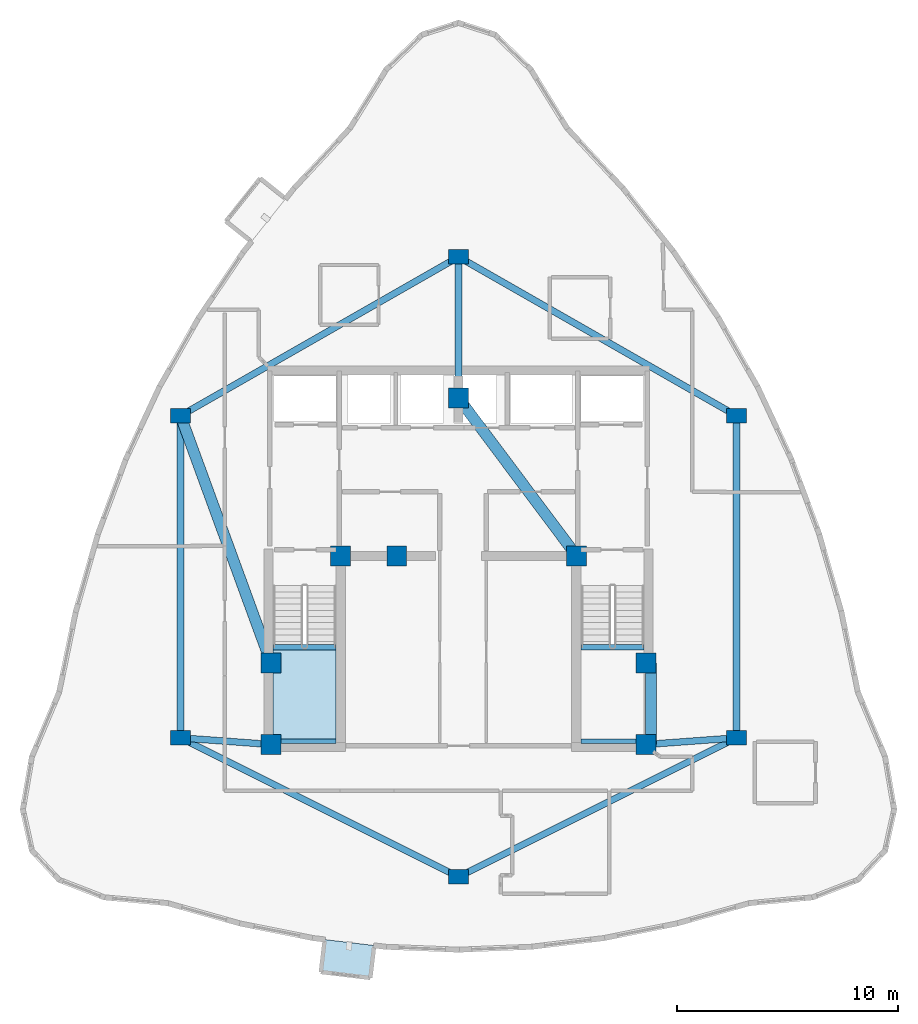
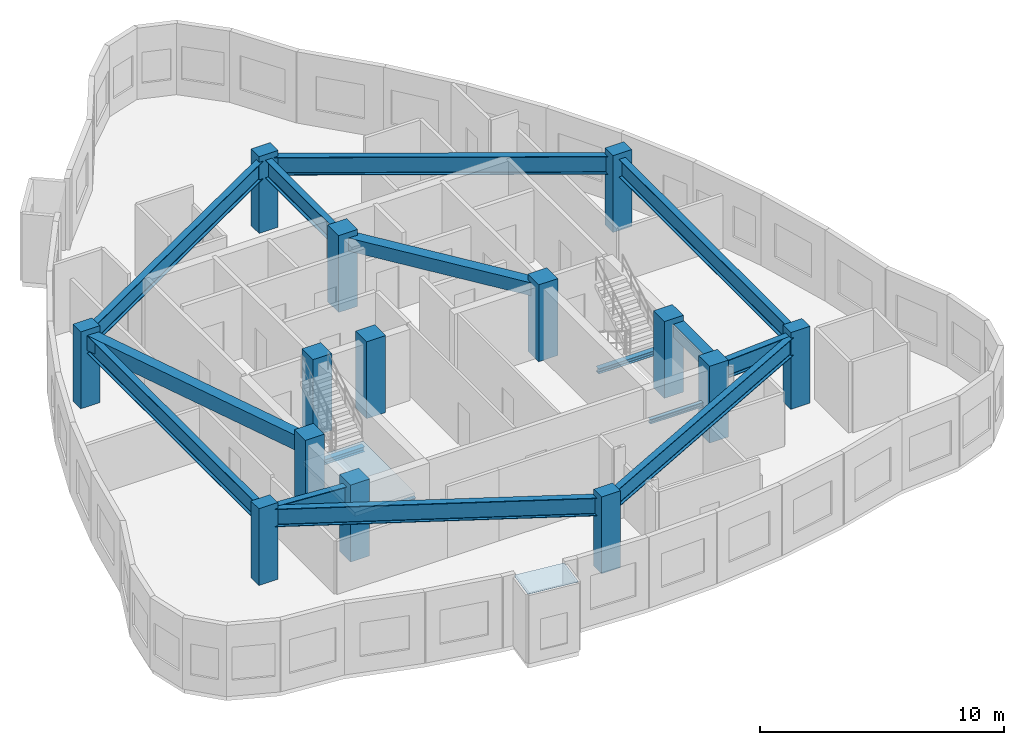
# One storey, part 1 of 9: 16 beams, 14 columns, 1 plate, 1 slab, 1 element without a shape of its own.
"""IFC4 building model written with IfcOpenShell, lengths in metres."""

from ifc_helpers import new_model, si_unit, direction, frame, origin, origin_2d, place, context, subcontext, project, spatial, polyline, rectangle, i_section, outline, extrude, material, layer, layer_set, material_profile, profile_set, type_object, element, aggregate, save


model = new_model("IFC4")

# Units and contexts
model_context = context("Model", 3, precision=1e-05, world=origin(), true_north=direction((0.0, 1.0)))
body_context = subcontext(model_context, "Body", "Model", "MODEL_VIEW")
ifc_project = project(units=[si_unit("LENGTHUNIT", "METRE"), si_unit("AREAUNIT", "SQUARE_METRE"), si_unit("VOLUMEUNIT", "CUBIC_METRE"), si_unit("PLANEANGLEUNIT", "RADIAN"), si_unit("MASSUNIT", "GRAM", prefix="KILO")], contexts=[model_context])

# Site, building, storey
site_placement = place(None, origin())
site = spatial("IfcSite", under=ifc_project, at=site_placement, CompositionType="ELEMENT")
building_placement = place(site_placement, origin())
building = spatial("IfcBuilding", under=site, at=building_placement, Name="Miruveldt Soraemaru", CompositionType="ELEMENT")
storey_placement = place(building_placement, frame((0.0, 0.0, 275.10009765625)))
storey = spatial("IfcBuildingStorey", under=building, at=storey_placement, Name="L75", CompositionType="ELEMENT", Elevation=275.10009765625)

# Columns
ifc_material_1 = material(Name="Concrete C50/60 (50 MPa)", Category="concrete")
ifc_material_profile_1 = material_profile(ifc_material_1, rectangle(XDim=0.89990234375, YDim=0.89990234375, at=origin_2d()), Name="Concrete C50/60 (50 MPa)", Category="concrete")
ifc_profile_set_1 = profile_set([ifc_material_profile_1], Name="Concrete C50/60 (50 MPa)")
column_type_1 = type_object("IfcColumnType", Name="COL-CORE-900", PredefinedType="COLUMN", material=ifc_profile_set_1)
for number, where, z_axis, x_axis, name in (
    (1, (35.5, 35.5, 0.0), (0.0, 0.0, 1.0), (1.0, 0.0, 0.0), "L75 Structural Column CC1"),
    (2, (38.64990234375, 44.050048828125, 0.0), (0.0, 0.0, 1.0), (1.0, 0.0, 0.0), "L75 Structural Column CC2"),
    (3, (52.5, 35.5, 0.0), (0.0, 0.0, 1.0), (1.0, 0.0, 0.0), "L75 Structural Column CC3"),
    (4, (52.5, 39.199951171875, 0.0), (0.0, 0.0, 1.0), (1.0, 0.0, 0.0), "L75 Structural Column CC4"),
    (5, (49.35009765625, 44.050048828125, 0.0), (0.0, 0.0, 1.0), (1.0, 0.0, 0.0), "L75 Structural Column CC5"),
    (6, (44.0, 51.199951171875, 0.0), (0.0, 0.0, 1.0), (1.0, 0.0, 0.0), "L75 Structural Column CC6"),
    (7, (35.5, 39.199951171875, 0.0), (0.0, 0.0, 1.0), (1.0, 0.0, 0.0), "L75 Structural Column CC7"),
    (8, (41.199951171875, 44.050048828125, 0.0), (0.0, 0.0, 1.0), (1.0, 0.0, 0.0), "L75 Structural Column CC8"),
):
    element("IfcColumn", number, at=place(storey_placement, frame(where, z_axis=z_axis, x_axis=x_axis)), inside=storey, type_object=column_type_1, Name=name, PredefinedType="COLUMN", context=body_context, shape_type="SweptSolid", body=[
        extrude(rectangle(XDim=0.89990234375, YDim=0.89990234375, at=origin_2d()), origin(), (0.0, 0.0, 1.0), 3.849853515625),
    ])
ifc_material_profile_2 = material_profile(ifc_material_1, rectangle(XDim=0.89990234375, YDim=0.64990234375, at=origin_2d()), Name="Concrete C50/60 (50 MPa)", Category="concrete")
ifc_profile_set_2 = profile_set([ifc_material_profile_2], Name="Concrete C50/60 (50 MPa)")
column_type_2 = type_object("IfcColumnType", Name="COL-TW-Z4", PredefinedType="COLUMN", material=ifc_profile_set_2)
for number, where, z_axis, x_axis, name in (
    (9, (44.0, 57.60009765625, 0.0), (0.0, 0.0, 1.0), (1.0, 0.0, 0.0), "L75 Structural Column IR01"),
    (10, (56.60009765625, 50.39990234375, 0.0), (0.0, 0.0, 1.0), (1.0, 0.0, 0.0), "L75 Structural Column IR02"),
    (11, (56.60009765625, 35.800048828125, 0.0), (0.0, 0.0, 1.0), (1.0, 0.0, 0.0), "L75 Structural Column IR03"),
    (12, (44.0, 29.5, 0.0), (0.0, 0.0, 1.0), (1.0, 0.0, 0.0), "L75 Structural Column IR04"),
    (13, (31.39990234375, 35.800048828125, 0.0), (0.0, 0.0, 1.0), (1.0, 0.0, 0.0), "L75 Structural Column IR05"),
    (14, (31.39990234375, 50.39990234375, 0.0), (0.0, 0.0, 1.0), (1.0, 0.0, 0.0), "L75 Structural Column IR06"),
):
    element("IfcColumn", number, at=place(storey_placement, frame(where, z_axis=z_axis, x_axis=x_axis)), inside=storey, type_object=column_type_2, Name=name, PredefinedType="COLUMN", context=body_context, shape_type="SweptSolid", body=[
        extrude(rectangle(XDim=0.89990234375, YDim=0.64990234375, at=origin_2d()), origin(), (0.0, 0.0, 1.0), 3.849853515625),
    ])

# Beams
ifc_material_profile_3 = material_profile(ifc_material_1, rectangle(XDim=0.5, YDim=0.64990234375, at=origin_2d()), Name="Concrete C50/60 (50 MPa)", Category="concrete")
ifc_profile_set_3 = profile_set([ifc_material_profile_3], Name="Concrete C50/60 (50 MPa)")
beam_type_1 = type_object("IfcBeamType", Name="BM-RC-500x650", PredefinedType="BEAM", material=ifc_profile_set_3)
beam_1_placement = place(storey_placement, frame((52.72998046875, 35.5, 3.239990234375), z_axis=(0.0, 1.0, 0.0), x_axis=(-1.0, 0.0, 0.0)))
element("IfcBeam", 15, at=beam_1_placement, inside=storey, type_object=beam_type_1, Name="L75 Core Tie Beam 3", PredefinedType="BEAM", context=body_context, shape_type="SweptSolid", body=[
    extrude(rectangle(XDim=0.5, YDim=0.64990234375, at=origin_2d()), origin(), (0.0, 0.0, 1.0), 3.699951171875),
])
beam_2_placement = place(storey_placement, frame((49.35009765625, 44.050048828125, 3.239990234375), z_axis=(-0.599116023999, 0.800662219533, 0.0), x_axis=(-0.800662219533, -0.599116023999, 0.0)))
element("IfcBeam", 16, at=beam_2_placement, inside=storey, type_object=beam_type_1, Name="L75 Core Tie Beam 5", PredefinedType="BEAM", context=body_context, shape_type="SweptSolid", body=[
    extrude(rectangle(XDim=0.5, YDim=0.64990234375, at=origin_2d()), origin(), (0.0, 0.0, 1.0), 8.929931640625),
])
ifc_material_2 = material(Name="Concrete C40/50 (40 MPa)", Category="concrete")
ifc_material_profile_4 = material_profile(ifc_material_2, rectangle(XDim=0.5, YDim=0.75, at=origin_2d()), Name="Concrete C40/50 (40 MPa)", Category="concrete")
ifc_profile_set_4 = profile_set([ifc_material_profile_4], Name="Concrete C40/50 (40 MPa)")
beam_type_2 = type_object("IfcBeamType", Name="BM-RC-500x750", PredefinedType="LINTEL", material=ifc_profile_set_4)
beam_3_placement = place(storey_placement, frame((31.39990234375, 50.39990234375, 3.18994140625), z_axis=(0.343770424598, -0.939053723262, 0.0), x_axis=(0.939053723262, 0.343770424598, 0.0)))
element("IfcBeam", 17, at=beam_3_placement, inside=storey, type_object=beam_type_2, Name="L75 West Lobby Lintel", PredefinedType="LINTEL", context=body_context, shape_type="SweptSolid", body=[
    extrude(rectangle(XDim=0.5, YDim=0.75, at=origin_2d()), origin(), (0.0, 0.0, 1.0), 11.9267578125),
])
ifc_material_3 = material(Name="Steel S460 (460 MPa)", Category="steel")
ifc_material_profile_5 = material_profile(ifc_material_3, i_section(OverallWidth=0.300048828125, OverallDepth=0.89990234375, WebThickness=0.01611328125, FlangeThickness=0.028076171875, FilletRadius=0.028076171875, at=origin_2d()), Name="Steel S460 (460 MPa)", Category="steel")
ifc_profile_set_5 = profile_set([ifc_material_profile_5], Name="Steel S460 (460 MPa)")
beam_type_3 = type_object("IfcBeamType", Name="BM-ST-H900", PredefinedType="BEAM", material=ifc_profile_set_5)
beam_4_placement = place(storey_placement, frame((44.0, 57.60009765625, 3.114990234375), z_axis=(0.868239001029, -0.496146185203, 0.0), x_axis=(0.496146185203, 0.868239001029, 0.0)))
element("IfcBeam", 18, at=beam_4_placement, inside=storey, type_object=beam_type_3, Name="L75 Inner Ring Girder 1", PredefinedType="BEAM", context=body_context, shape_type="SweptSolid", body=[
    extrude(i_section(OverallWidth=0.300048828125, OverallDepth=0.89990234375, WebThickness=0.01611328125, FlangeThickness=0.028076171875, FilletRadius=0.028076171875, at=origin_2d()), origin(), (0.0, 0.0, 1.0), 14.51220703125),
])
beam_5_placement = place(storey_placement, frame((44.0, 51.199951171875, 3.114990234375), z_axis=(0.0, 1.0, 0.0), x_axis=(-1.0, 0.0, 0.0)))
element("IfcBeam", 19, at=beam_5_placement, inside=storey, type_object=beam_type_3, Name="L75 Core-to-Inner Radial Girder 1", PredefinedType="BEAM", context=body_context, shape_type="SweptSolid", body=[
    extrude(i_section(OverallWidth=0.300048828125, OverallDepth=0.89990234375, WebThickness=0.01611328125, FlangeThickness=0.028076171875, FilletRadius=0.028076171875, at=origin_2d()), origin(), (0.0, 0.0, 1.0), 6.400146484375),
])
beam_6_placement = place(storey_placement, frame((56.60009765625, 50.39990234375, 3.114990234375), z_axis=(0.0, -1.0, 0.0), x_axis=(1.0, 0.0, 0.0)))
element("IfcBeam", 20, at=beam_6_placement, inside=storey, type_object=beam_type_3, Name="L75 Inner Ring Girder 2", PredefinedType="BEAM", context=body_context, shape_type="SweptSolid", body=[
    extrude(i_section(OverallWidth=0.300048828125, OverallDepth=0.89990234375, WebThickness=0.01611328125, FlangeThickness=0.028076171875, FilletRadius=0.028076171875, at=origin_2d()), origin(), (0.0, 0.0, 1.0), 14.599853515625),
])
beam_7_placement = place(storey_placement, frame((56.60009765625, 35.800048828125, 3.114990234375), z_axis=(-0.894427191, -0.4472135955, 0.0), x_axis=(0.4472135955, -0.894427191, 0.0)))
element("IfcBeam", 21, at=beam_7_placement, inside=storey, type_object=beam_type_3, Name="L75 Inner Ring Girder 3", PredefinedType="BEAM", context=body_context, shape_type="SweptSolid", body=[
    extrude(i_section(OverallWidth=0.300048828125, OverallDepth=0.89990234375, WebThickness=0.01611328125, FlangeThickness=0.028076171875, FilletRadius=0.028076171875, at=origin_2d()), origin(), (0.0, 0.0, 1.0), 14.08740234375),
])
beam_8_placement = place(storey_placement, frame((52.5, 35.5, 3.114990234375), z_axis=(0.997332985605, 0.072985723431, 0.0), x_axis=(-0.072985723431, 0.997332985605, 0.0)))
element("IfcBeam", 22, at=beam_8_placement, inside=storey, type_object=beam_type_3, Name="L75 Core-to-Inner Radial Girder 3", PredefinedType="BEAM", context=body_context, shape_type="SweptSolid", body=[
    extrude(i_section(OverallWidth=0.300048828125, OverallDepth=0.89990234375, WebThickness=0.01611328125, FlangeThickness=0.028076171875, FilletRadius=0.028076171875, at=origin_2d()), origin(), (0.0, 0.0, 1.0), 4.111083984375),
])
beam_9_placement = place(storey_placement, frame((44.0, 29.5, 3.114990234375), z_axis=(-0.894427191, 0.4472135955, 0.0), x_axis=(-0.4472135955, -0.894427191, 0.0)))
element("IfcBeam", 23, at=beam_9_placement, inside=storey, type_object=beam_type_3, Name="L75 Inner Ring Girder 4", PredefinedType="BEAM", context=body_context, shape_type="SweptSolid", body=[
    extrude(i_section(OverallWidth=0.300048828125, OverallDepth=0.89990234375, WebThickness=0.01611328125, FlangeThickness=0.028076171875, FilletRadius=0.028076171875, at=origin_2d()), origin(), (0.0, 0.0, 1.0), 14.08740234375),
])
beam_10_placement = place(storey_placement, frame((31.39990234375, 35.800048828125, 3.114990234375), z_axis=(0.0, 1.0, 0.0), x_axis=(-1.0, 0.0, 0.0)))
element("IfcBeam", 24, at=beam_10_placement, inside=storey, type_object=beam_type_3, Name="L75 Inner Ring Girder 5", PredefinedType="BEAM", context=body_context, shape_type="SweptSolid", body=[
    extrude(i_section(OverallWidth=0.300048828125, OverallDepth=0.89990234375, WebThickness=0.01611328125, FlangeThickness=0.028076171875, FilletRadius=0.028076171875, at=origin_2d()), origin(), (0.0, 0.0, 1.0), 14.599853515625),
])
beam_11_placement = place(storey_placement, frame((35.5, 35.5, 3.114990234375), z_axis=(-0.997332985605, 0.072985723431, 0.0), x_axis=(-0.072985723431, -0.997332985605, 0.0)))
element("IfcBeam", 25, at=beam_11_placement, inside=storey, type_object=beam_type_3, Name="L75 Core-to-Inner Radial Girder 5", PredefinedType="BEAM", context=body_context, shape_type="SweptSolid", body=[
    extrude(i_section(OverallWidth=0.300048828125, OverallDepth=0.89990234375, WebThickness=0.01611328125, FlangeThickness=0.028076171875, FilletRadius=0.028076171875, at=origin_2d()), origin(), (0.0, 0.0, 1.0), 4.111083984375),
])
beam_12_placement = place(storey_placement, frame((31.39990234375, 50.39990234375, 3.114990234375), z_axis=(0.868239001029, 0.496146185203, 0.0), x_axis=(-0.496146185203, 0.868239001029, 0.0)))
element("IfcBeam", 26, at=beam_12_placement, inside=storey, type_object=beam_type_3, Name="L75 Inner Ring Girder 6", PredefinedType="BEAM", context=body_context, shape_type="SweptSolid", body=[
    extrude(i_section(OverallWidth=0.300048828125, OverallDepth=0.89990234375, WebThickness=0.01611328125, FlangeThickness=0.028076171875, FilletRadius=0.028076171875, at=origin_2d()), origin(), (0.0, 0.0, 1.0), 14.51220703125),
])
ifc_material_4 = material(Name="Steel SM355 (355 MPa)", Category="steel")
ifc_material_profile_6 = material_profile(ifc_material_4, i_section(OverallWidth=0.199951171875, OverallDepth=0.199951171875, WebThickness=0.008056640625, FlangeThickness=0.011962890625, FilletRadius=0.012939453125, at=origin_2d()), Name="Steel SM355 (355 MPa)", Category="steel")
ifc_profile_set_6 = profile_set([ifc_material_profile_6], Name="Steel SM355 (355 MPa)")
beam_type_4 = type_object("IfcBeamType", Name="BM-ST-LND200", PredefinedType="BEAM", material=ifc_profile_set_6)
for number, where, z_axis, x_axis, name in (
    (27, (35.60009765625, 35.64990234375, 1.625), (1.0, 0.0, 0.0), (0.0, 1.0, 0.0), "L75 ST1 Landing End Beam 1B"),
    (28, (49.550048828125, 35.64990234375, 1.625), (1.0, 0.0, 0.0), (0.0, 1.0, 0.0), "L75 ST2 Landing End Beam 1B"),
):
    element("IfcBeam", number, at=place(storey_placement, frame(where, z_axis=z_axis, x_axis=x_axis)), inside=storey, type_object=beam_type_4, Name=name, PredefinedType="BEAM", context=body_context, shape_type="SweptSolid", body=[
        extrude(i_section(OverallWidth=0.199951171875, OverallDepth=0.199951171875, WebThickness=0.008056640625, FlangeThickness=0.011962890625, FilletRadius=0.012939453125, at=origin_2d()), origin(), (0.0, 0.0, 1.0), 2.849853515625),
    ])
ifc_material_profile_7 = material_profile(ifc_material_4, i_section(OverallWidth=0.25, OverallDepth=0.25, WebThickness=0.009033203125, FlangeThickness=0.013916015625, FilletRadius=0.01611328125, at=origin_2d()), Name="Steel SM355 (355 MPa)", Category="steel")
ifc_profile_set_7 = profile_set([ifc_material_profile_7], Name="Steel SM355 (355 MPa)")
beam_type_5 = type_object("IfcBeamType", Name="BM-ST-LND250", PredefinedType="BEAM", material=ifc_profile_set_7)
for number, where, z_axis, x_axis, name in (
    (29, (35.60009765625, 39.89990234375, 1.599853515625), (1.0, 0.0, 0.0), (0.0, 1.0, 0.0), "L75 ST1 Landing Support Beam 1A"),
    (30, (49.550048828125, 39.89990234375, 1.599853515625), (1.0, 0.0, 0.0), (0.0, 1.0, 0.0), "L75 ST2 Landing Support Beam 1A"),
):
    element("IfcBeam", number, at=place(storey_placement, frame(where, z_axis=z_axis, x_axis=x_axis)), inside=storey, type_object=beam_type_5, Name=name, PredefinedType="BEAM", context=body_context, shape_type="SweptSolid", body=[
        extrude(i_section(OverallWidth=0.25, OverallDepth=0.25, WebThickness=0.009033203125, FlangeThickness=0.013916015625, FilletRadius=0.01611328125, at=origin_2d()), origin(), (0.0, 0.0, 1.0), 2.849853515625),
    ])

# Plate
ifc_material_5 = material(Name="Standing-seam titanium-zinc sheet", Category="aluminium")
ifc_layer_1 = layer(ifc_material_5, 0.011962890625, Name="Standing-seam titanium-zinc sheet", Category="aluminium")
ifc_layer_set_1 = layer_set([ifc_layer_1], Name="Standing-seam titanium-zinc sheet")
plate_type = type_object("IfcPlateType", Name="PLT-ZINC-12", PredefinedType="SHEET", material=ifc_layer_set_1)
plate_placement = place(storey_placement, frame((0.0, 0.0, 3.414794921875)))
element("IfcPlate", 31, at=plate_placement, inside=storey, type_object=plate_type, Name="L75 Bay Window Zinc Hood Sheet 1", PredefinedType="SHEET", context=body_context, shape_type="SweptSolid", body=[
    extrude(outline(polyline([(37.9365234375, 26.658935546875), (40.177490234375, 26.39013671875), (40.001220703125, 24.920654296875), (37.76025390625, 25.189453125), (37.9365234375, 26.658935546875)])), origin(), (0.0, 0.0, 1.0), 0.01220703125),
])

# Stair, slab
stair_type = type_object("IfcStairType", Name="STAIR-DL-385", PredefinedType="HALF_TURN_STAIR", material=ifc_material_2)
stair_placement = place(storey_placement, origin())
stair = element("IfcStair", 32, at=stair_placement, inside=storey, type_object=stair_type, Name="L75 Protected Exit Stair ST-1", PredefinedType="HALF_TURN_STAIR")
ifc_layer_2 = layer(ifc_material_2, 0.199951171875, Name="Concrete C40/50 (40 MPa)", Category="concrete")
ifc_layer_set_2 = layer_set([ifc_layer_2], Name="Concrete C40/50 (40 MPa)")
slab_type = type_object("IfcSlabType", Name="SLAB-LAND-200", PredefinedType="LANDING", material=ifc_layer_set_2)
slab_placement = place(storey_placement, frame((0.0, 0.0, 1.724853515625)))
slab = element("IfcSlab", 33, at=slab_placement, type_object=slab_type, Name="ST-1 landing 1", PredefinedType="LANDING", context=body_context, shape_type="SweptSolid", body=[
    extrude(outline(polyline([(35.60009765625, 39.91796875), (35.60009765625, 35.64990234375), (38.449951171875, 35.64990234375), (38.449951171875, 39.91796875), (35.60009765625, 39.91796875)])), origin(), (0.0, 0.0, 1.0), 0.199951171875),
])
aggregate(stair, [slab])

save(model, "model.ifc")
